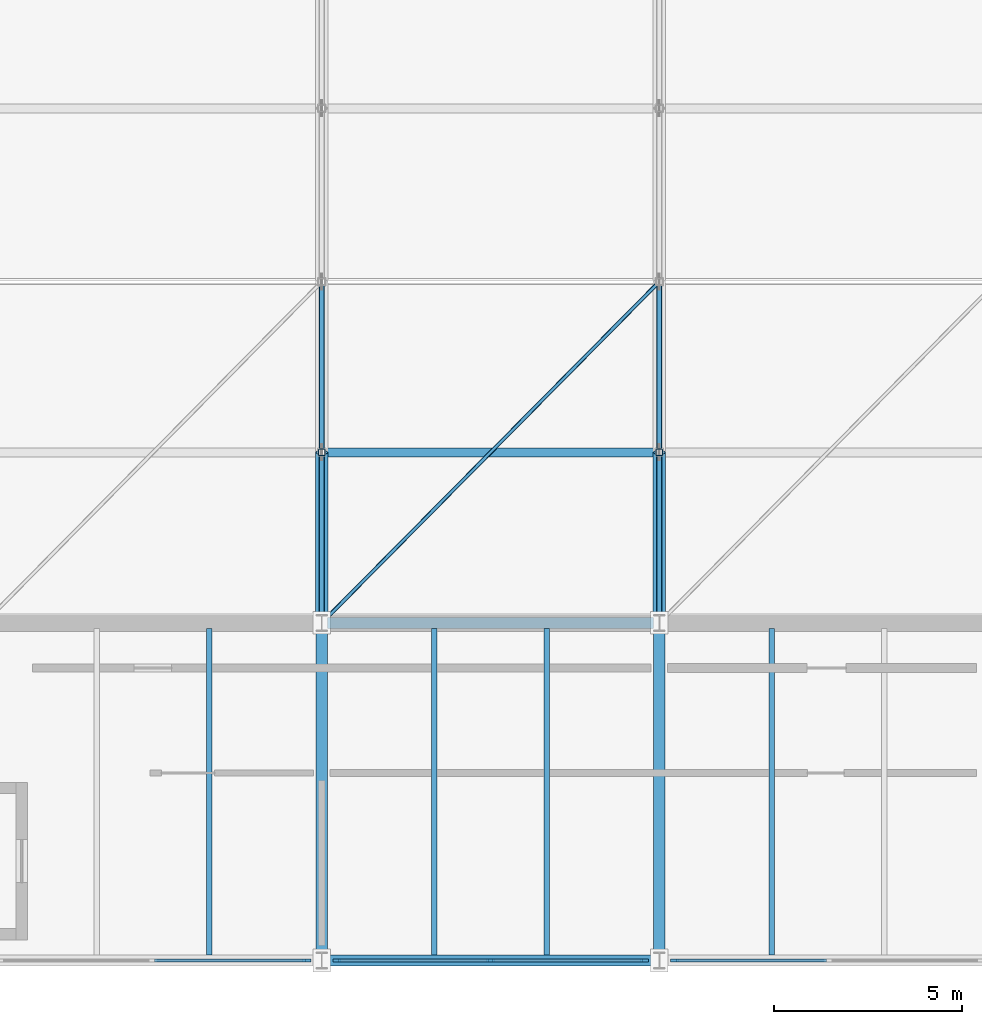
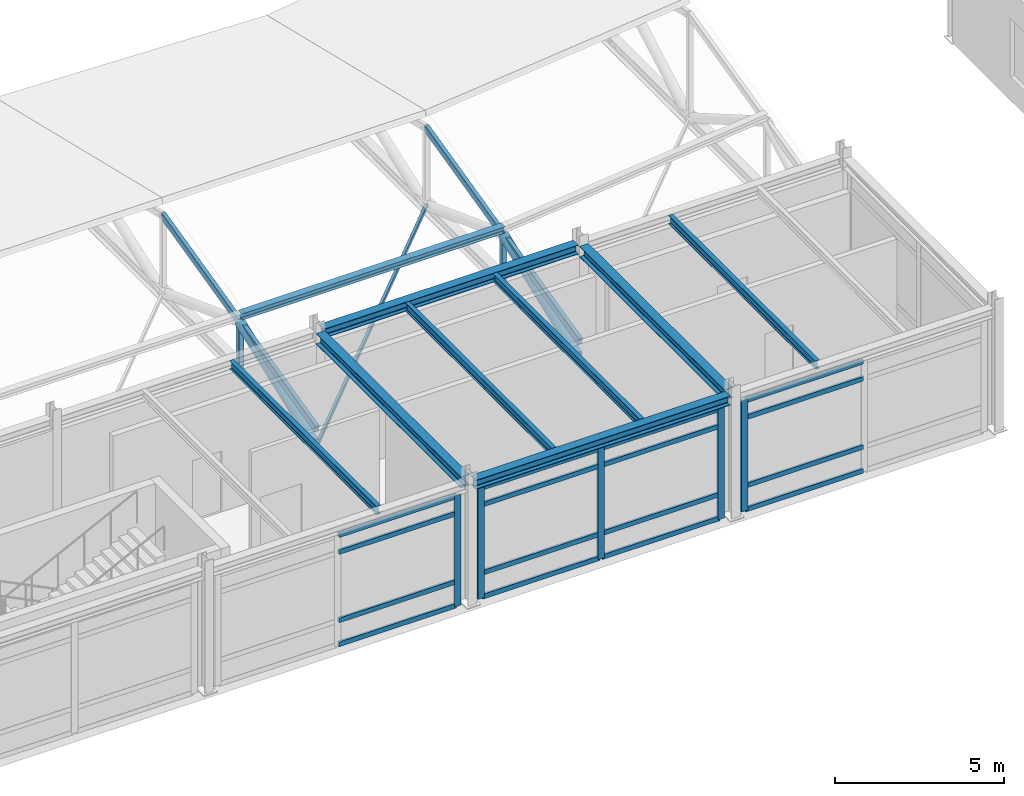
# One storey, part 24 of 90: 29 members, 8 beams, 3 elements without a shape of their own.
"""IFC4 building model written with IfcOpenShell, lengths in metres."""

import ifcopenshell
import ifcopenshell.guid

model = None  # the IFC model being written
_history = None  # IfcOwnerHistory: only IFC2X3 demands one
_inside = {}  # id of a spatial element -> (the spatial element, [elements in it])
_under = {}  # id of a project, library or spatial element -> (it, [spatial elements below it])
_declared = {}  # id of a project -> (the project, [libraries it declares])
_typed = {}  # id of a type object -> (the type object, [elements of that type])
_made_of = {}  # id of a material, layer set ... -> (it, [elements and type objects made of it])


def new_model(schema):
    """Start an empty IFC model of exactly this schema.

    Asked for "IFC4X3", IfcOpenShell would pick the latest addendum, in which some entities
    have other attributes; the version numbers below select the first issue.
    IFC2X3 requires an IfcOwnerHistory on every rooted entity: one is made here for all.
    """
    global model, _history
    if schema == "IFC4X3":
        model = ifcopenshell.file(schema_version=(4, 3, 0, 0))
    else:
        model = ifcopenshell.file(schema=schema)
    _inside.clear()
    _under.clear()
    _declared.clear()
    _typed.clear()
    _made_of.clear()
    _history = None
    if model.schema == "IFC2X3":
        org = make("IfcOrganization", Name="unknown")
        user = make(
            "IfcPersonAndOrganization",
            ThePerson=make("IfcPerson", FamilyName="unknown"),
            TheOrganization=org,
        )
        app = make(
            "IfcApplication",
            ApplicationDeveloper=org,
            Version="unknown",
            ApplicationFullName="unknown",
            ApplicationIdentifier="unknown",
        )
        _history = make(
            "IfcOwnerHistory",
            OwningUser=user,
            OwningApplication=app,
            ChangeAction="ADDED",
            CreationDate=0,
        )
    return model


def make(cls, **values):
    """One entity of the class cls with the attributes given. An attribute that is None is left unset."""
    return model.create_entity(
        cls, **{name: value for name, value in values.items() if value is not None}
    )


def rooted(cls, **values):
    """An entity with a GlobalId (a new one), such as an element, a storey or a relation."""
    return make(cls, GlobalId=ifcopenshell.guid.new(), OwnerHistory=_history, **values)


def si_unit(unit_type, name, prefix=None):
    """IfcSIUnit, for example si_unit("LENGTHUNIT", "METRE", prefix="MILLI")."""
    return make("IfcSIUnit", UnitType=unit_type, Prefix=prefix, Name=name)


def assignment(units):
    """IfcUnitAssignment: the units of a project."""
    return None if units is None else make("IfcUnitAssignment", Units=units)


def point(xyz):
    """IfcCartesianPoint."""
    return None if xyz is None else make("IfcCartesianPoint", Coordinates=xyz)


def direction(xyz):
    """IfcDirection."""
    return None if xyz is None else make("IfcDirection", DirectionRatios=xyz)


def frame(location, z_axis=None, x_axis=None):
    """IfcAxis2Placement3D, a coordinate frame: its origin and axes. An axis left out is left unset."""
    return make(
        "IfcAxis2Placement3D",
        Location=point(location),
        Axis=direction(z_axis),
        RefDirection=direction(x_axis),
    )


def frame_2d(location, x_axis=None):
    """IfcAxis2Placement2D, a coordinate frame in the plane: its origin and x axis."""
    return make(
        "IfcAxis2Placement2D", Location=point(location), RefDirection=direction(x_axis)
    )


def origin():
    """The frame at (0, 0, 0) with its axes left unset."""
    return frame((0.0, 0.0, 0.0))


def origin_2d():
    """The frame at (0, 0) in the plane with its x axis left unset."""
    return frame_2d((0.0, 0.0))


def place(relative_to, where):
    """IfcLocalPlacement: puts the frame where relative to a parent placement (None: the world)."""
    return make(
        "IfcLocalPlacement", PlacementRelTo=relative_to, RelativePlacement=where
    )


def context(
    kind, dimensions, precision=None, world=None, true_north=None, identifier=None
):
    """IfcGeometricRepresentationContext, for example the 3D "Model" context."""
    return make(
        "IfcGeometricRepresentationContext",
        ContextIdentifier=identifier,
        ContextType=kind,
        CoordinateSpaceDimension=dimensions,
        Precision=precision,
        WorldCoordinateSystem=world,
        TrueNorth=true_north,
    )


def subcontext(parent, identifier, kind, view, scale=None):
    """IfcGeometricRepresentationSubContext, for example "Body" below "Model"."""
    return make(
        "IfcGeometricRepresentationSubContext",
        ContextIdentifier=identifier,
        ContextType=kind,
        ParentContext=parent,
        TargetScale=scale,
        TargetView=view,
    )


def project(units=None, contexts=None):
    """IfcProject with its units and contexts."""
    return rooted(
        "IfcProject",
        Name="project",
        RepresentationContexts=contexts,
        UnitsInContext=assignment(units),
    )


def spatial(cls, under=None, at=None, **own):
    """A site, building, storey or space (cls), placed at a placement, below another one or the project."""
    s = rooted(cls, ObjectPlacement=at, **own)
    if under is not None:
        _under.setdefault(under.id(), (under, []))[1].append(s)
    return s


def profile(cls, at=None, kind="AREA", **sizes):
    """A parametric profile (cls). Its sizes go by their IFC names, for example OverallWidth=200.0."""
    return make(cls, ProfileType=kind, Position=at, **sizes)


def rectangle(**sizes):
    """IfcRectangleProfileDef."""
    return profile("IfcRectangleProfileDef", **sizes)


def hollow_rectangle(**sizes):
    """IfcRectangleHollowProfileDef."""
    return profile("IfcRectangleHollowProfileDef", **sizes)


def hollow_circle(**sizes):
    """IfcCircleHollowProfileDef."""
    return profile("IfcCircleHollowProfileDef", **sizes)


def i_section(**sizes):
    """IfcIShapeProfileDef."""
    return profile("IfcIShapeProfileDef", **sizes)


def extrude(swept, where, along, depth):
    """IfcExtrudedAreaSolid: the profile swept, set in the frame where, extruded along a direction by depth."""
    return make(
        "IfcExtrudedAreaSolid",
        SweptArea=swept,
        Position=where,
        ExtrudedDirection=direction(along),
        Depth=depth,
    )


def shape(context_of_items, identifier, shape_type, items):
    """IfcShapeRepresentation: the items that make up one representation, for example the "Body"."""
    return make(
        "IfcShapeRepresentation",
        ContextOfItems=context_of_items,
        RepresentationIdentifier=identifier,
        RepresentationType=shape_type,
        Items=items,
    )


def material(Name=None, Category=None):
    """IfcMaterial."""
    return make("IfcMaterial", Name=Name, Category=Category)


def material_profile(
    of_material, cross_section, Name=None, Category=None, Priority=None
):
    """IfcMaterialProfile: a cross section and its material."""
    return make(
        "IfcMaterialProfile",
        Name=Name,
        Material=of_material,
        Profile=cross_section,
        Priority=Priority,
        Category=Category,
    )


def profile_set(profiles, Name=None, composite=None):
    """IfcMaterialProfileSet."""
    return make(
        "IfcMaterialProfileSet",
        Name=Name,
        MaterialProfiles=profiles,
        CompositeProfile=composite,
    )


def made_of(thing, what):
    """Note that an element or type object is made of a material, layer set ...; save() writes the relation."""
    if what is not None:
        _made_of.setdefault(what.id(), (what, []))[1].append(thing)
    return thing


def type_object(cls, material=None, **own):
    """A type object (cls), such as IfcWallType, which elements share."""
    return made_of(rooted(cls, **own), material)


def element(
    cls,
    number,
    at=None,
    inside=None,
    cuts=None,
    type_object=None,
    material=None,
    context=None,
    identifier="Body",
    shape_type=None,
    held_by="IfcProductDefinitionShape",
    body=None,
    shapes=None,
    **own,
):
    """One element of the class cls, such as IfcWall. Its Tag is "e" and its number.

    at: its placement. inside: the storey or other place that contains it. cuts: it is an
    opening in that element (IfcRelVoidsElement). A single representation is given by context,
    identifier, shape_type and body (its items); several are given by shapes. held_by: the class
    of the entity that holds the representations. save() writes the other relations.
    """
    e = rooted(cls, Tag="e%d" % number, ObjectPlacement=at, **own)
    if body is not None:
        shapes = [shape(context, identifier, shape_type, body)]
    if shapes is not None:
        e.Representation = make(held_by, Representations=shapes)
    if inside is not None:
        _inside.setdefault(inside.id(), (inside, []))[1].append(e)
    if cuts is not None:
        rooted(
            "IfcRelVoidsElement", RelatingBuildingElement=cuts, RelatedOpeningElement=e
        )
    if type_object is not None:
        _typed.setdefault(type_object.id(), (type_object, []))[1].append(e)
    return made_of(e, material)


def aggregate(whole, parts):
    """IfcRelAggregates: a whole, such as a stair, and the parts it consists of."""
    return rooted("IfcRelAggregates", RelatingObject=whole, RelatedObjects=parts)


def save(model, path):
    """Write the relations noted so far, then the file.

    IfcRelAggregates (storeys below a building ...), IfcRelContainedInSpatialStructure (elements
    in a storey), IfcRelDefinesByType, IfcRelAssociatesMaterial and IfcRelDeclares: one each for
    every whole, place, type object, material and project.
    """
    for whole, parts in _under.values():
        aggregate(whole, parts)
    for where, things in _inside.values():
        rooted(
            "IfcRelContainedInSpatialStructure",
            RelatedElements=things,
            RelatingStructure=where,
        )
    for kind, things in _typed.values():
        rooted("IfcRelDefinesByType", RelatedObjects=things, RelatingType=kind)
    for what, things in _made_of.values():
        rooted("IfcRelAssociatesMaterial", RelatedObjects=things, RelatingMaterial=what)
    for by, libraries in _declared.values():
        rooted("IfcRelDeclares", RelatingContext=by, RelatedDefinitions=libraries)
    model.write(path)


model = new_model("IFC4")

# Units and contexts
model_context = context("Model", 3, precision=1e-05, world=origin(), true_north=direction((0.0, 1.0)))
body_context = subcontext(model_context, "Body", "Model", "MODEL_VIEW")
ifc_project = project(units=[si_unit("LENGTHUNIT", "METRE"), si_unit("AREAUNIT", "SQUARE_METRE"), si_unit("VOLUMEUNIT", "CUBIC_METRE"), si_unit("PLANEANGLEUNIT", "RADIAN"), si_unit("MASSUNIT", "GRAM", prefix="KILO")], contexts=[model_context])

# Site, building, storey
site_placement = place(None, origin())
site = spatial("IfcSite", under=ifc_project, at=site_placement, CompositionType="ELEMENT")
building_placement = place(site_placement, origin())
building = spatial("IfcBuilding", under=site, at=building_placement, Name="Bozkorgan Art Gallery", CompositionType="ELEMENT")
storey_placement = place(building_placement, frame((0.0, 0.0, 5.39990234375)))
storey = spatial("IfcBuildingStorey", under=building, at=storey_placement, Name="L01", CompositionType="ELEMENT", Elevation=5.39990234375)

# Beams
ifc_material_1 = material(Name="Steel S355J2", Category="steel")
ifc_material_profile_1 = material_profile(ifc_material_1, i_section(OverallWidth=0.300048828125, OverallDepth=0.389892578125, WebThickness=0.010986328125, FlangeThickness=0.01904296875, FilletRadius=0.027099609375, at=origin_2d()), Name="HEA 400")
ifc_profile_set_1 = profile_set([ifc_material_profile_1], Name="Steel S355J2")
beam_type_1 = type_object("IfcBeamType", Name="BEAM-BM-10", PredefinedType="BEAM", material=ifc_profile_set_1)
for number, where, z_axis, x_axis, name in (
    (1, (101.0, 2.219970703125, 4.2451171875), (0.0, 1.0, 0.0), (-1.0, 0.0, 0.0), "V3 L01 beam Y (101, 2.0-11.0)"),
    (2, (110.0, 2.219970703125, 4.2451171875), (0.0, 1.0, 0.0), (-1.0, 0.0, 0.0), "V3 L01 beam Y (110, 2.0-11.0)"),
):
    element("IfcBeam", number, at=place(storey_placement, frame(where, z_axis=z_axis, x_axis=x_axis)), inside=storey, type_object=beam_type_1, Name=name, PredefinedType="BEAM", context=body_context, shape_type="SweptSolid", body=[
        extrude(i_section(OverallWidth=0.300048828125, OverallDepth=0.389892578125, WebThickness=0.010986328125, FlangeThickness=0.01904296875, FilletRadius=0.027099609375, at=origin_2d()), origin(), (0.0, 0.0, 1.0), 8.56005859375),
    ])
ifc_material_profile_2 = material_profile(ifc_material_1, i_section(OverallWidth=0.14990234375, OverallDepth=0.300048828125, WebThickness=0.007080078125, FlangeThickness=0.0107421875, FilletRadius=0.014892578125, at=origin_2d()), Name="IPE 300")
ifc_profile_set_2 = profile_set([ifc_material_profile_2], Name="Steel S355J2")
beam_type_2 = type_object("IfcBeamType", Name="BEAM-JS-88", PredefinedType="JOIST", material=ifc_profile_set_2)
for number, where, z_axis, x_axis, name in (
    (3, (98.0, 2.14990234375, 4.2900390625), (0.0, 1.0, 0.0), (-1.0, 0.0, 0.0), "V3 L01 secondary joist (92-101, 2.0-11.0) #2"),
    (4, (104.0, 2.14990234375, 4.2900390625), (0.0, 1.0, 0.0), (-1.0, 0.0, 0.0), "V3 L01 secondary joist (101-110, 2.0-11.0) #1"),
    (5, (107.0, 2.14990234375, 4.2900390625), (0.0, 1.0, 0.0), (-1.0, 0.0, 0.0), "V3 L01 secondary joist (101-110, 2.0-11.0) #2"),
    (6, (113.0, 2.14990234375, 4.2900390625), (0.0, 1.0, 0.0), (-1.0, 0.0, 0.0), "V3 L01 secondary joist (110-119, 2.0-11.0) #1"),
):
    element("IfcBeam", number, at=place(storey_placement, frame(where, z_axis=z_axis, x_axis=x_axis)), inside=storey, type_object=beam_type_2, Name=name, PredefinedType="JOIST", context=body_context, shape_type="SweptSolid", body=[
        extrude(i_section(OverallWidth=0.14990234375, OverallDepth=0.300048828125, WebThickness=0.007080078125, FlangeThickness=0.0107421875, FilletRadius=0.014892578125, at=origin_2d()), origin(), (0.0, 0.0, 1.0), 8.7001953125),
    ])
ifc_material_profile_3 = material_profile(ifc_material_1, i_section(OverallWidth=0.300048828125, OverallDepth=0.330078125, WebThickness=0.009521484375, FlangeThickness=0.0166015625, FilletRadius=0.027099609375, at=origin_2d()), Name="HEA 340")
ifc_profile_set_3 = profile_set([ifc_material_profile_3], Name="Steel S355J2")
beam_type_3 = type_object("IfcBeamType", Name="BEAM-SP-91", PredefinedType="SPANDREL", material=ifc_profile_set_3)
for number, where, z_axis, x_axis, name in (
    (7, (101.14990234375, 2.0, 4.275146484375), (1.0, 0.0, 0.0), (0.0, 1.0, 0.0), "V3 L01 spandrel X (101-110, 2.0)"),
    (8, (101.14990234375, 11.0, 4.275146484375), (1.0, 0.0, 0.0), (0.0, 1.0, 0.0), "V3 L01 spandrel X (101-110, 11.0)"),
):
    element("IfcBeam", number, at=place(storey_placement, frame(where, z_axis=z_axis, x_axis=x_axis)), inside=storey, type_object=beam_type_3, Name=name, PredefinedType="SPANDREL", context=body_context, shape_type="SweptSolid", body=[
        extrude(i_section(OverallWidth=0.300048828125, OverallDepth=0.330078125, WebThickness=0.009521484375, FlangeThickness=0.0166015625, FilletRadius=0.027099609375, at=origin_2d()), origin(), (0.0, 0.0, 1.0), 8.7001953125),
    ])

# Curtain wall, member
ifc_material_2 = material(Name="Anodised Bronze Aluminium", Category="aluminium")
curtain_wall_type = type_object("IfcCurtainWallType", Name="CW-CW-44", PredefinedType="NOTDEFINED", material=ifc_material_2)
curtain_wall_1_placement = place(storey_placement, origin())
curtain_wall_1 = element("IfcCurtainWall", 9, at=curtain_wall_1_placement, inside=storey, type_object=curtain_wall_type, Name="L01 unitised curtain wall CW-V3-L01-1S-03", PredefinedType="NOTDEFINED")
ifc_material_profile_4 = material_profile(ifc_material_2, rectangle(XDim=0.074951171875, YDim=0.219970703125, at=origin_2d()), Name="ALU MULLION 75x220")
ifc_profile_set_4 = profile_set([ifc_material_profile_4], Name="Anodised Bronze Aluminium")
member_type_1 = type_object("IfcMemberType", Name="CWM-02", PredefinedType="MULLION", material=ifc_profile_set_4)
member_1_placement = place(storey_placement, frame((100.597412109375, 2.0, 0.02001953125), z_axis=(0.0, 0.0, 1.0), x_axis=(0.0, 1.0, 0.0)))
member_1 = element("IfcMember", 10, at=member_1_placement, type_object=member_type_1, Name="CW-44 mullion 3", PredefinedType="MULLION", context=body_context, shape_type="SweptSolid", body=[
    extrude(rectangle(XDim=0.074951171875, YDim=0.219970703125, at=origin_2d()), origin(), (0.0, 0.0, 1.0), 4.01513671875),
])

# Curtain wall, members
curtain_wall_2_placement = place(storey_placement, origin())
curtain_wall_2 = element("IfcCurtainWall", 11, at=curtain_wall_2_placement, inside=storey, type_object=curtain_wall_type, Name="L01 unitised curtain wall CW-V3-L01-1S-05", PredefinedType="NOTDEFINED")
member_2_placement = place(storey_placement, frame((101.402587890625, 2.0, 0.02001953125), z_axis=(0.0, 0.0, 1.0), x_axis=(0.0, 1.0, 0.0)))
member_2 = element("IfcMember", 12, at=member_2_placement, type_object=member_type_1, Name="CW-44 mullion 1", PredefinedType="MULLION", context=body_context, shape_type="SweptSolid", body=[
    extrude(rectangle(XDim=0.074951171875, YDim=0.219970703125, at=origin_2d()), origin(), (0.0, 0.0, 1.0), 4.01513671875),
])
member_3_placement = place(storey_placement, frame((105.5, 2.0, 0.02001953125), z_axis=(0.0, 0.0, 1.0), x_axis=(0.0, 1.0, 0.0)))
member_3 = element("IfcMember", 13, at=member_3_placement, type_object=member_type_1, Name="CW-44 mullion 2", PredefinedType="MULLION", context=body_context, shape_type="SweptSolid", body=[
    extrude(rectangle(XDim=0.074951171875, YDim=0.219970703125, at=origin_2d()), origin(), (0.0, 0.0, 1.0), 4.01513671875),
])
member_4_placement = place(storey_placement, frame((109.597412109375, 2.0, 0.02001953125), z_axis=(0.0, 0.0, 1.0), x_axis=(0.0, 1.0, 0.0)))
member_4 = element("IfcMember", 14, at=member_4_placement, type_object=member_type_1, Name="CW-44 mullion 3", PredefinedType="MULLION", context=body_context, shape_type="SweptSolid", body=[
    extrude(rectangle(XDim=0.074951171875, YDim=0.219970703125, at=origin_2d()), origin(), (0.0, 0.0, 1.0), 4.01513671875),
])

# Curtain wall, member
curtain_wall_3_placement = place(storey_placement, origin())
curtain_wall_3 = element("IfcCurtainWall", 15, at=curtain_wall_3_placement, inside=storey, type_object=curtain_wall_type, Name="L01 unitised curtain wall CW-V3-L01-1S-07", PredefinedType="NOTDEFINED")
member_5_placement = place(storey_placement, frame((110.402587890625, 2.0, 0.02001953125), z_axis=(0.0, 0.0, 1.0), x_axis=(0.0, 1.0, 0.0)))
member_5 = element("IfcMember", 16, at=member_5_placement, type_object=member_type_1, Name="CW-44 mullion 1", PredefinedType="MULLION", context=body_context, shape_type="SweptSolid", body=[
    extrude(rectangle(XDim=0.074951171875, YDim=0.219970703125, at=origin_2d()), origin(), (0.0, 0.0, 1.0), 4.01513671875),
])

# Member
ifc_material_profile_5 = material_profile(ifc_material_2, rectangle(XDim=0.074951171875, YDim=0.169921875, at=origin_2d()), Name="ALU TRANSOM 75x170")
ifc_profile_set_5 = profile_set([ifc_material_profile_5], Name="Anodised Bronze Aluminium")
member_type_2 = type_object("IfcMemberType", Name="CWT-02", PredefinedType="USERDEFINED", material=ifc_profile_set_5)
member_6_placement = place(storey_placement, frame((96.53759765625, 2.0, 0.0576171875), z_axis=(1.0, 0.0, 0.0), x_axis=(0.0, 1.0, 0.0)))
member_6 = element("IfcMember", 17, at=member_6_placement, type_object=member_type_2, Name="CW-44 transom 2.1", ObjectType="TRANSOM", PredefinedType="USERDEFINED", context=body_context, shape_type="SweptSolid", body=[
    extrude(rectangle(XDim=0.074951171875, YDim=0.169921875, at=origin_2d()), origin(), (0.0, 0.0, 1.0), 4.0224609375),
])

member_7_placement = place(storey_placement, frame((96.53759765625, 2.0, 0.920166015625), z_axis=(1.0, 0.0, 0.0), x_axis=(0.0, 1.0, 0.0)))
member_7 = element("IfcMember", 18, at=member_7_placement, type_object=member_type_2, Name="CW-44 transom 2.2", ObjectType="TRANSOM", PredefinedType="USERDEFINED", context=body_context, shape_type="SweptSolid", body=[
    extrude(rectangle(XDim=0.074951171875, YDim=0.169921875, at=origin_2d()), origin(), (0.0, 0.0, 1.0), 4.0224609375),
])

member_8_placement = place(storey_placement, frame((96.53759765625, 2.0, 3.385009765625), z_axis=(1.0, 0.0, 0.0), x_axis=(0.0, 1.0, 0.0)))
member_8 = element("IfcMember", 19, at=member_8_placement, type_object=member_type_2, Name="CW-44 transom 2.3", ObjectType="TRANSOM", PredefinedType="USERDEFINED", context=body_context, shape_type="SweptSolid", body=[
    extrude(rectangle(XDim=0.074951171875, YDim=0.169921875, at=origin_2d()), origin(), (0.0, 0.0, 1.0), 4.0224609375),
])

member_9_placement = place(storey_placement, frame((96.53759765625, 2.0, 3.99755859375), z_axis=(1.0, 0.0, 0.0), x_axis=(0.0, 1.0, 0.0)))
member_9 = element("IfcMember", 20, at=member_9_placement, type_object=member_type_2, Name="CW-44 transom 2.4", ObjectType="TRANSOM", PredefinedType="USERDEFINED", context=body_context, shape_type="SweptSolid", body=[
    extrude(rectangle(XDim=0.074951171875, YDim=0.169921875, at=origin_2d()), origin(), (0.0, 0.0, 1.0), 4.0224609375),
])

aggregate(curtain_wall_1, [member_1, member_6, member_7, member_8, member_9])

member_10_placement = place(storey_placement, frame((101.43994140625, 2.0, 0.0576171875), z_axis=(1.0, 0.0, 0.0), x_axis=(0.0, 1.0, 0.0)))
member_10 = element("IfcMember", 21, at=member_10_placement, type_object=member_type_2, Name="CW-44 transom 1.1", ObjectType="TRANSOM", PredefinedType="USERDEFINED", context=body_context, shape_type="SweptSolid", body=[
    extrude(rectangle(XDim=0.074951171875, YDim=0.169921875, at=origin_2d()), origin(), (0.0, 0.0, 1.0), 4.0224609375),
])

member_11_placement = place(storey_placement, frame((101.43994140625, 2.0, 0.920166015625), z_axis=(1.0, 0.0, 0.0), x_axis=(0.0, 1.0, 0.0)))
member_11 = element("IfcMember", 22, at=member_11_placement, type_object=member_type_2, Name="CW-44 transom 1.2", ObjectType="TRANSOM", PredefinedType="USERDEFINED", context=body_context, shape_type="SweptSolid", body=[
    extrude(rectangle(XDim=0.074951171875, YDim=0.169921875, at=origin_2d()), origin(), (0.0, 0.0, 1.0), 4.0224609375),
])

member_12_placement = place(storey_placement, frame((101.43994140625, 2.0, 3.385009765625), z_axis=(1.0, 0.0, 0.0), x_axis=(0.0, 1.0, 0.0)))
member_12 = element("IfcMember", 23, at=member_12_placement, type_object=member_type_2, Name="CW-44 transom 1.3", ObjectType="TRANSOM", PredefinedType="USERDEFINED", context=body_context, shape_type="SweptSolid", body=[
    extrude(rectangle(XDim=0.074951171875, YDim=0.169921875, at=origin_2d()), origin(), (0.0, 0.0, 1.0), 4.0224609375),
])

member_13_placement = place(storey_placement, frame((101.43994140625, 2.0, 3.99755859375), z_axis=(1.0, 0.0, 0.0), x_axis=(0.0, 1.0, 0.0)))
member_13 = element("IfcMember", 24, at=member_13_placement, type_object=member_type_2, Name="CW-44 transom 1.4", ObjectType="TRANSOM", PredefinedType="USERDEFINED", context=body_context, shape_type="SweptSolid", body=[
    extrude(rectangle(XDim=0.074951171875, YDim=0.169921875, at=origin_2d()), origin(), (0.0, 0.0, 1.0), 4.0224609375),
])

member_14_placement = place(storey_placement, frame((105.53759765625, 2.0, 0.0576171875), z_axis=(1.0, 0.0, 0.0), x_axis=(0.0, 1.0, 0.0)))
member_14 = element("IfcMember", 25, at=member_14_placement, type_object=member_type_2, Name="CW-44 transom 2.1", ObjectType="TRANSOM", PredefinedType="USERDEFINED", context=body_context, shape_type="SweptSolid", body=[
    extrude(rectangle(XDim=0.074951171875, YDim=0.169921875, at=origin_2d()), origin(), (0.0, 0.0, 1.0), 4.0224609375),
])

member_15_placement = place(storey_placement, frame((105.53759765625, 2.0, 0.920166015625), z_axis=(1.0, 0.0, 0.0), x_axis=(0.0, 1.0, 0.0)))
member_15 = element("IfcMember", 26, at=member_15_placement, type_object=member_type_2, Name="CW-44 transom 2.2", ObjectType="TRANSOM", PredefinedType="USERDEFINED", context=body_context, shape_type="SweptSolid", body=[
    extrude(rectangle(XDim=0.074951171875, YDim=0.169921875, at=origin_2d()), origin(), (0.0, 0.0, 1.0), 4.0224609375),
])

member_16_placement = place(storey_placement, frame((105.53759765625, 2.0, 3.385009765625), z_axis=(1.0, 0.0, 0.0), x_axis=(0.0, 1.0, 0.0)))
member_16 = element("IfcMember", 27, at=member_16_placement, type_object=member_type_2, Name="CW-44 transom 2.3", ObjectType="TRANSOM", PredefinedType="USERDEFINED", context=body_context, shape_type="SweptSolid", body=[
    extrude(rectangle(XDim=0.074951171875, YDim=0.169921875, at=origin_2d()), origin(), (0.0, 0.0, 1.0), 4.0224609375),
])

member_17_placement = place(storey_placement, frame((105.53759765625, 2.0, 3.99755859375), z_axis=(1.0, 0.0, 0.0), x_axis=(0.0, 1.0, 0.0)))
member_17 = element("IfcMember", 28, at=member_17_placement, type_object=member_type_2, Name="CW-44 transom 2.4", ObjectType="TRANSOM", PredefinedType="USERDEFINED", context=body_context, shape_type="SweptSolid", body=[
    extrude(rectangle(XDim=0.074951171875, YDim=0.169921875, at=origin_2d()), origin(), (0.0, 0.0, 1.0), 4.0224609375),
])

aggregate(curtain_wall_2, [member_2, member_3, member_4, member_10, member_11, member_12, member_13, member_14, member_15, member_16, member_17])

member_18_placement = place(storey_placement, frame((110.43994140625, 2.0, 0.0576171875), z_axis=(1.0, 0.0, 0.0), x_axis=(0.0, 1.0, 0.0)))
member_18 = element("IfcMember", 29, at=member_18_placement, type_object=member_type_2, Name="CW-44 transom 1.1", ObjectType="TRANSOM", PredefinedType="USERDEFINED", context=body_context, shape_type="SweptSolid", body=[
    extrude(rectangle(XDim=0.074951171875, YDim=0.169921875, at=origin_2d()), origin(), (0.0, 0.0, 1.0), 4.0224609375),
])

member_19_placement = place(storey_placement, frame((110.43994140625, 2.0, 0.920166015625), z_axis=(1.0, 0.0, 0.0), x_axis=(0.0, 1.0, 0.0)))
member_19 = element("IfcMember", 30, at=member_19_placement, type_object=member_type_2, Name="CW-44 transom 1.2", ObjectType="TRANSOM", PredefinedType="USERDEFINED", context=body_context, shape_type="SweptSolid", body=[
    extrude(rectangle(XDim=0.074951171875, YDim=0.169921875, at=origin_2d()), origin(), (0.0, 0.0, 1.0), 4.0224609375),
])

member_20_placement = place(storey_placement, frame((110.43994140625, 2.0, 3.385009765625), z_axis=(1.0, 0.0, 0.0), x_axis=(0.0, 1.0, 0.0)))
member_20 = element("IfcMember", 31, at=member_20_placement, type_object=member_type_2, Name="CW-44 transom 1.3", ObjectType="TRANSOM", PredefinedType="USERDEFINED", context=body_context, shape_type="SweptSolid", body=[
    extrude(rectangle(XDim=0.074951171875, YDim=0.169921875, at=origin_2d()), origin(), (0.0, 0.0, 1.0), 4.0224609375),
])

member_21_placement = place(storey_placement, frame((110.43994140625, 2.0, 3.99755859375), z_axis=(1.0, 0.0, 0.0), x_axis=(0.0, 1.0, 0.0)))
member_21 = element("IfcMember", 32, at=member_21_placement, type_object=member_type_2, Name="CW-44 transom 1.4", ObjectType="TRANSOM", PredefinedType="USERDEFINED", context=body_context, shape_type="SweptSolid", body=[
    extrude(rectangle(XDim=0.074951171875, YDim=0.169921875, at=origin_2d()), origin(), (0.0, 0.0, 1.0), 4.0224609375),
])

aggregate(curtain_wall_3, [member_5, member_18, member_19, member_20, member_21])

# Members
ifc_material_profile_6 = material_profile(ifc_material_1, i_section(OverallWidth=0.239990234375, OverallDepth=0.22998046875, WebThickness=0.007568359375, FlangeThickness=0.011962890625, FilletRadius=0.02099609375, at=origin_2d()), Name="HEA 240")
ifc_profile_set_6 = profile_set([ifc_material_profile_6], Name="Steel S355J2")
member_type_3 = type_object("IfcMemberType", Name="MEMBER-PR-93", PredefinedType="PURLIN", material=ifc_profile_set_6)
member_22_placement = place(storey_placement, frame((101.0, 15.550048828125, 2.153076171875), z_axis=(0.999999574673, 0.0, 0.000922308635), x_axis=(0.0, 1.0, 0.0)))
element("IfcMember", 33, at=member_22_placement, inside=storey, type_object=member_type_3, Name="ROOF-V3-BOWL roof purlin 3S", PredefinedType="PURLIN", context=body_context, shape_type="SweptSolid", body=[
    extrude(i_section(OverallWidth=0.239990234375, OverallDepth=0.22998046875, WebThickness=0.007568359375, FlangeThickness=0.011962890625, FilletRadius=0.02099609375, at=origin_2d()), origin(), (0.0, 0.0, 1.0), 9.0),
])
ifc_material_profile_7 = material_profile(ifc_material_1, hollow_rectangle(XDim=0.14990234375, YDim=0.25, WallThickness=0.010009765625, InnerFilletRadius=0.014892578125, OuterFilletRadius=0.02490234375, at=origin_2d()), Name="RHS 250x150x10")
ifc_profile_set_7 = profile_set([ifc_material_profile_7], Name="Steel S355J2")
member_type_4 = type_object("IfcMemberType", Name="MEMBER-TC-35", PredefinedType="CHORD", material=ifc_profile_set_7)
for number, where, z_axis, x_axis, name in (
    (34, (101.0, 11.0, 0.82080078125), (0.0, 0.972368118214, 0.233452870363), (-1.0, 0.0, 0.0), "ROOF-V3-BOWL roof truss 3 south top chord"),
    (35, (110.0, 11.0, 0.8291015625), (0.0, 0.97237403975, 0.233428204853), (-1.0, 0.0, 0.0), "ROOF-V3-BOWL roof truss 4 south top chord"),
):
    element("IfcMember", number, at=place(storey_placement, frame(where, z_axis=z_axis, x_axis=x_axis)), inside=storey, type_object=member_type_4, Name=name, PredefinedType="CHORD", context=body_context, shape_type="SweptSolid", body=[
        extrude(hollow_rectangle(XDim=0.14990234375, YDim=0.25, WallThickness=0.010009765625, InnerFilletRadius=0.014892578125, OuterFilletRadius=0.02490234375, at=origin_2d()), origin(), (0.0, 0.0, 1.0), 9.358642578125),
    ])
ifc_material_profile_8 = material_profile(ifc_material_1, hollow_rectangle(XDim=0.179931640625, YDim=0.179931640625, WallThickness=0.010009765625, InnerFilletRadius=0.014892578125, OuterFilletRadius=0.02490234375, at=origin_2d()), Name="SHS 180x180x10")
ifc_profile_set_8 = profile_set([ifc_material_profile_8], Name="Steel S355J2")
member_type_5 = type_object("IfcMemberType", Name="MEMBER-TP-98", PredefinedType="POST", material=ifc_profile_set_8)
member_23_placement = place(storey_placement, frame((101.0, 15.550048828125, 0.22509765625), z_axis=(0.0, 0.0, 1.0), x_axis=(1.0, 0.0, 0.0)))
element("IfcMember", 36, at=member_23_placement, inside=storey, type_object=member_type_5, Name="ROOF-V3-BOWL roof truss 3 post 1", PredefinedType="POST", context=body_context, shape_type="SweptSolid", body=[
    extrude(hollow_rectangle(XDim=0.179931640625, YDim=0.179931640625, WallThickness=0.010009765625, InnerFilletRadius=0.014892578125, OuterFilletRadius=0.02490234375, at=origin_2d()), origin(), (0.0, 0.0, 1.0), 1.68798828125),
])
member_24_placement = place(storey_placement, frame((110.0, 15.550048828125, 0.22509765625), z_axis=(0.0, 0.0, 1.0), x_axis=(1.0, 0.0, 0.0)))
element("IfcMember", 37, at=member_24_placement, inside=storey, type_object=member_type_5, Name="ROOF-V3-BOWL roof truss 4 post 1", PredefinedType="POST", context=body_context, shape_type="SweptSolid", body=[
    extrude(hollow_rectangle(XDim=0.179931640625, YDim=0.179931640625, WallThickness=0.010009765625, InnerFilletRadius=0.014892578125, OuterFilletRadius=0.02490234375, at=origin_2d()), origin(), (0.0, 0.0, 1.0), 1.6962890625),
])
ifc_material_profile_9 = material_profile(ifc_material_1, hollow_circle(Radius=0.161865234375, WallThickness=0.012451171875, at=origin_2d()), Name="CHS 323.9x12.5")
ifc_profile_set_9 = profile_set([ifc_material_profile_9], Name="Steel S355J2")
member_type_6 = type_object("IfcMemberType", Name="MEMBER-TW-97", PredefinedType="BRACE", material=ifc_profile_set_9)
member_25_placement = place(storey_placement, frame((101.0, 11.14990234375, 0.22509765625), z_axis=(0.0, 0.933656344389, 0.358170114027), x_axis=(-1.0, 0.0, 0.0)))
element("IfcMember", 38, at=member_25_placement, inside=storey, type_object=member_type_6, Name="ROOF-V3-BOWL roof truss 3 diagonal 1", PredefinedType="BRACE", context=body_context, shape_type="SweptSolid", body=[
    extrude(hollow_circle(Radius=0.161865234375, WallThickness=0.012451171875, at=origin_2d()), origin(), (0.0, 0.0, 1.0), 4.712890625),
])
member_26_placement = place(storey_placement, frame((110.0, 11.14990234375, 0.22509765625), z_axis=(0.0, 0.933066455695, 0.359704030082), x_axis=(-1.0, 0.0, 0.0)))
element("IfcMember", 39, at=member_26_placement, inside=storey, type_object=member_type_6, Name="ROOF-V3-BOWL roof truss 4 diagonal 1", PredefinedType="BRACE", context=body_context, shape_type="SweptSolid", body=[
    extrude(hollow_circle(Radius=0.161865234375, WallThickness=0.012451171875, at=origin_2d()), origin(), (0.0, 0.0, 1.0), 4.7158203125),
])
ifc_material_profile_10 = material_profile(ifc_material_1, hollow_rectangle(XDim=0.10009765625, YDim=0.14990234375, WallThickness=0.008056640625, InnerFilletRadius=0.011962890625, OuterFilletRadius=0.02001953125, at=origin_2d()), Name="RHS 150x100x8")
ifc_profile_set_10 = profile_set([ifc_material_profile_10], Name="Steel S355J2")
member_type_7 = type_object("IfcMemberType", Name="MEMBER-WB-10", PredefinedType="BRACE", material=ifc_profile_set_10)
member_27_placement = place(storey_placement, frame((101.0, 11.0, 0.22509765625), z_axis=(0.703185567055, 0.711006370074, 0.0), x_axis=(-0.711006370074, 0.703185567055, 0.0)))
element("IfcMember", 40, at=member_27_placement, inside=storey, type_object=member_type_7, Name="ROOF-V3-BOWL roof diaphragm wind brace 3", PredefinedType="BRACE", context=body_context, shape_type="SweptSolid", body=[
    extrude(hollow_rectangle(XDim=0.10009765625, YDim=0.14990234375, WallThickness=0.008056640625, InnerFilletRadius=0.011962890625, OuterFilletRadius=0.02001953125, at=origin_2d()), origin(), (0.0, 0.0, 1.0), 12.798828125),
])

save(model, "model.ifc")
